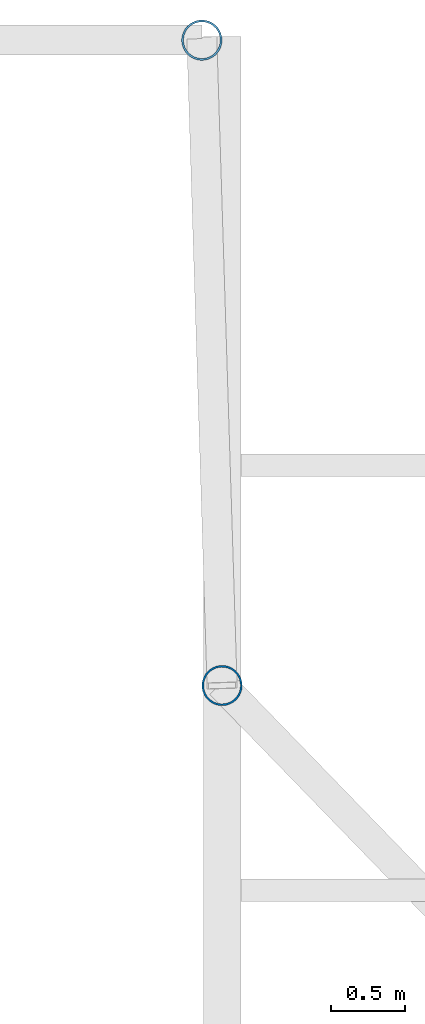
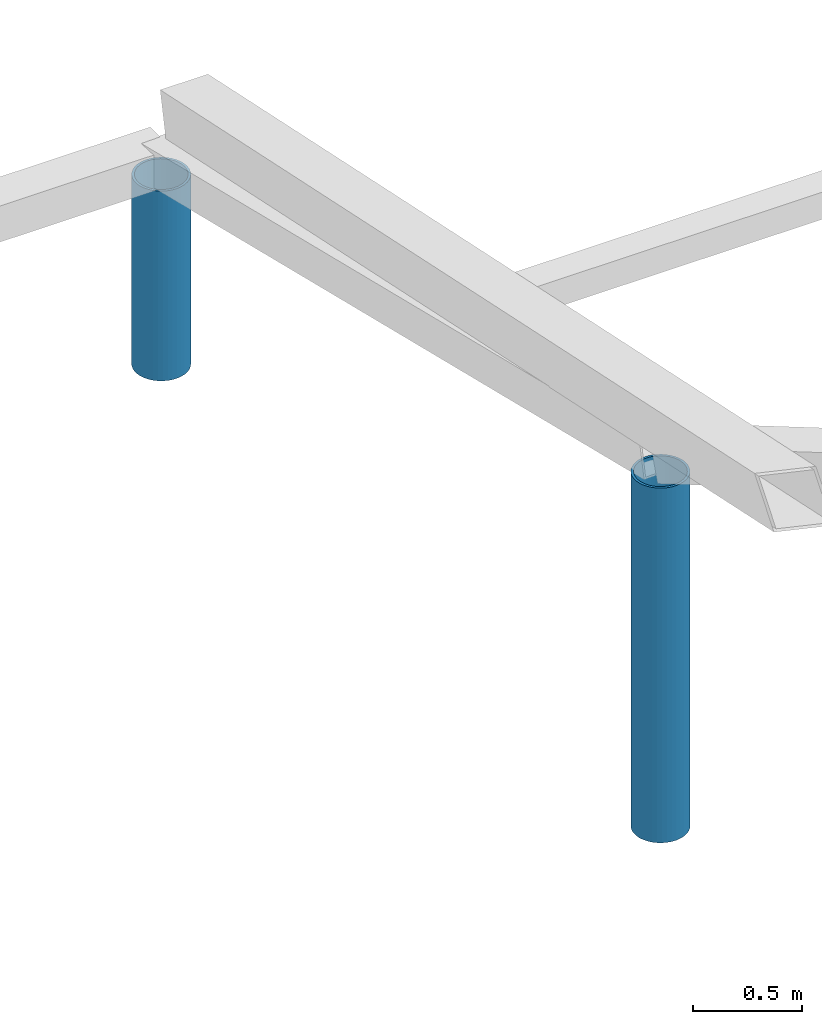
# One storey, part 5 of 7: 2 columns.
"""IFC4 building model written with IfcOpenShell, lengths in metres."""

from ifc_helpers import new_model, si_unit, direction, frame, origin, origin_2d, place, context, subcontext, project, spatial, hollow_circle, extrude, material, material_profile, profile_set, type_object, element, save


model = new_model("IFC4")

# Units and contexts
model_context = context("Model", 3, precision=1e-05, world=origin(), true_north=direction((0.0, 1.0)))
body_context = subcontext(model_context, "Body", "Model", "MODEL_VIEW")
ifc_project = project(units=[si_unit("LENGTHUNIT", "METRE"), si_unit("AREAUNIT", "SQUARE_METRE"), si_unit("VOLUMEUNIT", "CUBIC_METRE"), si_unit("PLANEANGLEUNIT", "RADIAN"), si_unit("MASSUNIT", "GRAM", prefix="KILO")], contexts=[model_context])

# Site, building, storey
site_placement = place(None, origin())
site = spatial("IfcSite", under=ifc_project, at=site_placement, CompositionType="ELEMENT")
building_placement = place(site_placement, origin())
building = spatial("IfcBuilding", under=site, at=building_placement, Name="Orbiselva Terraces", CompositionType="ELEMENT")
storey_placement = place(building_placement, frame((0.0, 0.0, 306.6)))
storey = spatial("IfcBuildingStorey", under=building, at=storey_placement, Name="ROOF STAIR AND LIFT HEAD HOUSES", CompositionType="ELEMENT", Elevation=306.6)

# Columns
ifc_material = material(Name="Steel ASTM A500 Grade C", Category="steel")
ifc_material_profile = material_profile(ifc_material, hollow_circle(Radius=0.13655, WallThickness=0.0127, at=origin_2d()), Name="HSS273.1X12.7")
ifc_profile_set = profile_set([ifc_material_profile], Name="Steel ASTM A500 Grade C")
column_type = type_object("IfcColumnType", Name="CANOPY COLUMN HSS273.1X12.7", PredefinedType="COLUMN", material=ifc_profile_set)
column_1_placement = place(storey_placement, frame((17.86345, 22.36345, 0.0), z_axis=(0.0, 0.0, 1.0), x_axis=(1.0, 0.0, 0.0)))
element("IfcColumn", 1, at=column_1_placement, inside=storey, type_object=column_type, Name="Canopy column L75-12 above +306.600", PredefinedType="COLUMN", context=body_context, shape_type="SweptSolid", body=[
    extrude(hollow_circle(Radius=0.13655, WallThickness=0.0127, at=origin_2d()), origin(), (0.0, 0.0, 1.0), 1.067554),
])
column_2_placement = place(storey_placement, frame((18.0, 18.0, 0.0), z_axis=(0.0, 0.0, 1.0), x_axis=(1.0, 0.0, 0.0)))
element("IfcColumn", 2, at=column_2_placement, inside=storey, type_object=column_type, Name="Canopy column L75-17 above +306.600", PredefinedType="COLUMN", context=body_context, shape_type="SweptSolid", body=[
    extrude(hollow_circle(Radius=0.13655, WallThickness=0.0127, at=origin_2d()), origin(), (0.0, 0.0, 1.0), 1.995034),
])

save(model, "model.ifc")
